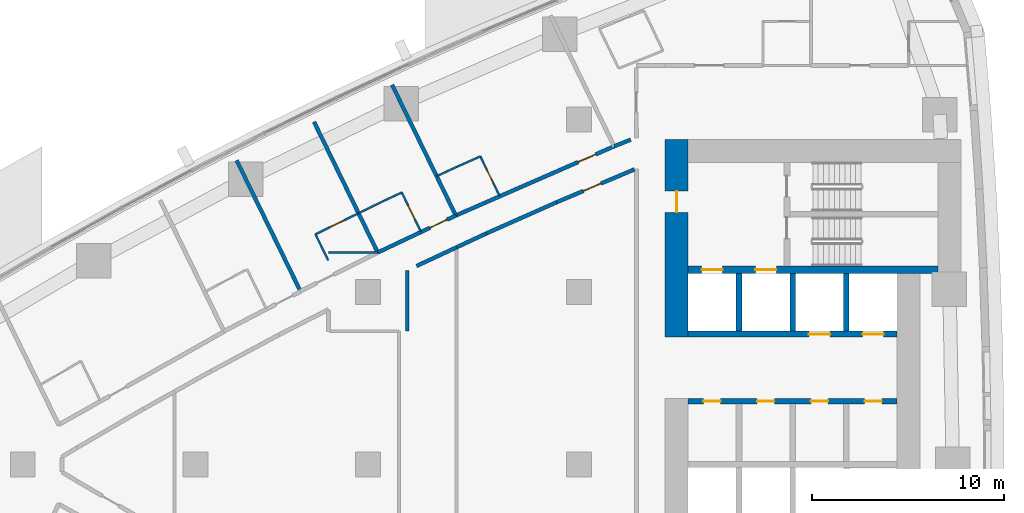
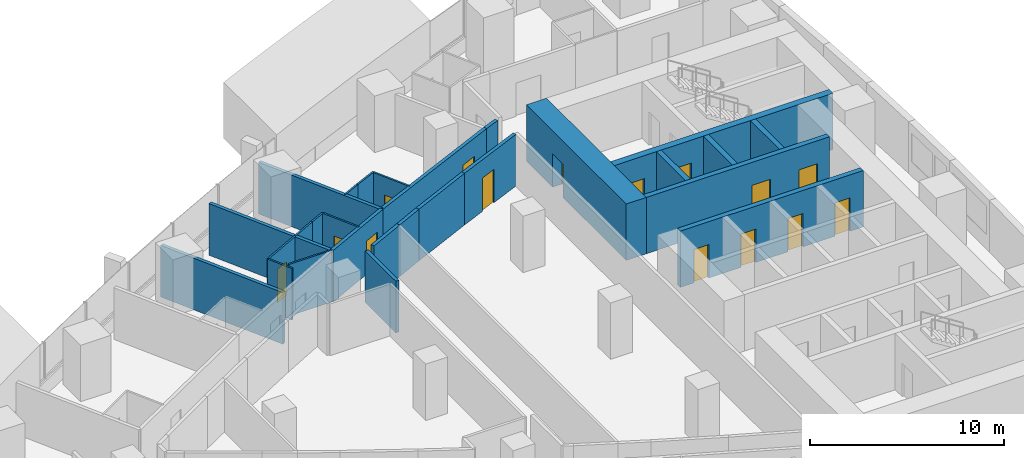
# One storey, part 12 of 19: 27 walls, 15 doors, 15 openings.
"""IFC4 building model written with IfcOpenShell, lengths in metres."""

from ifc_helpers import new_model, si_unit, direction, frame, frame_2d, origin, place, context, subcontext, project, spatial, rectangle, extrude, material, layer, layer_set, type_object, element, fill, save


model = new_model("IFC4")

# Units and contexts
model_context = context("Model", 3, precision=1e-05, world=origin(), true_north=direction((0.0, 1.0)))
body_context = subcontext(model_context, "Body", "Model", "MODEL_VIEW")
ifc_project = project(units=[si_unit("LENGTHUNIT", "METRE"), si_unit("AREAUNIT", "SQUARE_METRE"), si_unit("VOLUMEUNIT", "CUBIC_METRE"), si_unit("PLANEANGLEUNIT", "RADIAN"), si_unit("MASSUNIT", "GRAM", prefix="KILO")], contexts=[model_context])

# Site, building, storey
site_placement = place(None, origin())
site = spatial("IfcSite", under=ifc_project, at=site_placement, CompositionType="ELEMENT")
building_placement = place(site_placement, origin())
building = spatial("IfcBuilding", under=site, at=building_placement, Name="Ostrand Prow Hotel Tower", CompositionType="ELEMENT")
storey_placement = place(building_placement, frame((0.0, 0.0, 43.14990234375)))
storey = spatial("IfcBuildingStorey", under=building, at=storey_placement, Name="L08", CompositionType="ELEMENT", Elevation=43.14990234375)

# Wall, opening, door
ifc_material_1 = material(Name="Concrete C80/95", Category="concrete")
ifc_layer_1 = layer(ifc_material_1, 1.199951171875)
ifc_layer_set_1 = layer_set([ifc_layer_1], Name="Concrete C80/95")
wall_type_1 = type_object("IfcWallType", Name="Core wall 1200 C80/95", PredefinedType="SHEAR", material=ifc_layer_set_1)
wall_1_placement = place(storey_placement, frame((50.10009765625, 6.64990234375, 0.0), z_axis=(0.0, 0.0, 1.0), x_axis=(0.0, 1.0, 0.0)))
wall_1 = element("IfcWall", 1, at=wall_1_placement, inside=storey, type_object=wall_type_1, Name="Core wall CW-W-N", PredefinedType="SHEAR", context=body_context, shape_type="SweptSolid", body=[
    extrude(rectangle(XDim=10.300048828125, YDim=1.199951171875, at=frame_2d((5.14990234375, 0.0))), origin(), (0.0, 0.0, 1.0), 3.550048828125),
])
opening_1_placement = place(wall_1_placement, frame((6.5, 0.0, 0.0)))
opening_1 = element("IfcOpeningElement", 2, at=opening_1_placement, cuts=wall_1, Name="Opening FD1", PredefinedType="OPENING", context=body_context, shape_type="SweptSolid", body=[
    extrude(rectangle(XDim=1.10009765625, YDim=2.10009765625, at=frame_2d((0.550048828125, 1.050048828125))), frame((0.0, 0.60986328125, 0.0), z_axis=(0.0, -1.0, 0.0), x_axis=(1.0, 0.0, 0.0)), (0.0, 0.0, 1.0), 1.219970703125),
])
ifc_material_2 = material(Name="Steel fire door", Category="steel")
door_type_1 = type_object("IfcDoorType", Name="Fire door 1100 EI120", OperationType="SINGLE_SWING_RIGHT", PredefinedType="DOOR", material=ifc_material_2)
door_1_placement = place(opening_1_placement, origin())
door_1 = element("IfcDoor", 3, at=door_1_placement, inside=storey, type_object=door_type_1, Name="FIRE DOOR", OperationType="SINGLE_SWING_RIGHT", OverallHeight=2.10009765625, OverallWidth=1.10009765625, PredefinedType="DOOR", context=body_context, shape_type="SweptSolid", body=[
    extrude(rectangle(XDim=1.10009765625, YDim=2.10009765625, at=frame_2d((0.550048828125, 1.050048828125))), frame((0.0, 0.02490234375, 0.0), z_axis=(0.0, -1.0, 0.0), x_axis=(1.0, 0.0, 0.0)), (0.0, 0.0, 1.0), 0.050048828125),
])
fill(opening_1, door_1)

# Wall, openings, doors
ifc_material_3 = material(Name="Concrete C80/95", Category="concrete")
ifc_layer_2 = layer(ifc_material_3, 0.300048828125)
ifc_layer_set_2 = layer_set([ifc_layer_2], Name="Concrete C80/95")
wall_type_2 = type_object("IfcWallType", Name="Core wall 300 C80/95", PredefinedType="SHEAR", material=ifc_layer_set_2)
wall_2_placement = place(storey_placement, frame((50.699951171875, 3.300048828125, 0.0), z_axis=(0.0, 0.0, 1.0), x_axis=(1.0, 0.0, 0.0)))
wall_2 = element("IfcWall", 4, at=wall_2_placement, inside=storey, type_object=wall_type_2, Name="Core wall PW-L1-N", PredefinedType="SHEAR", context=body_context, shape_type="SweptSolid", body=[
    extrude(rectangle(XDim=10.900146484375, YDim=0.300048828125, at=frame_2d((5.4501953125, 0.0))), origin(), (0.0, 0.0, 1.0), 3.550048828125),
])
opening_2_placement = place(wall_2_placement, frame((0.800048828125, 0.0, 0.0)))
opening_2 = element("IfcOpeningElement", 5, at=opening_2_placement, cuts=wall_2, Name="Opening FD2", PredefinedType="OPENING", context=body_context, shape_type="SweptSolid", body=[
    extrude(rectangle(XDim=0.89990234375, YDim=2.10009765625, at=frame_2d((0.449951171875, 1.050048828125))), frame((0.0, 0.159912109375, 0.0), z_axis=(0.0, -1.0, 0.0), x_axis=(1.0, 0.0, 0.0)), (0.0, 0.0, 1.0), 0.320068359375),
])
opening_3_placement = place(wall_2_placement, frame((3.60009765625, 0.0, 0.0)))
opening_3 = element("IfcOpeningElement", 6, at=opening_3_placement, cuts=wall_2, Name="Opening FD2", PredefinedType="OPENING", context=body_context, shape_type="SweptSolid", body=[
    extrude(rectangle(XDim=0.89990234375, YDim=2.10009765625, at=frame_2d((0.449951171875, 1.050048828125))), frame((0.0, 0.159912109375, 0.0), z_axis=(0.0, -1.0, 0.0), x_axis=(1.0, 0.0, 0.0)), (0.0, 0.0, 1.0), 0.320068359375),
])
opening_4_placement = place(wall_2_placement, frame((6.39990234375, 0.0, 0.0)))
opening_4 = element("IfcOpeningElement", 7, at=opening_4_placement, cuts=wall_2, Name="Opening FD2", PredefinedType="OPENING", context=body_context, shape_type="SweptSolid", body=[
    extrude(rectangle(XDim=0.89990234375, YDim=2.10009765625, at=frame_2d((0.449951171875, 1.050048828125))), frame((0.0, 0.159912109375, 0.0), z_axis=(0.0, -1.0, 0.0), x_axis=(1.0, 0.0, 0.0)), (0.0, 0.0, 1.0), 0.320068359375),
])
opening_5_placement = place(wall_2_placement, frame((9.199951171875, 0.0, 0.0)))
opening_5 = element("IfcOpeningElement", 8, at=opening_5_placement, cuts=wall_2, Name="Opening FD2", PredefinedType="OPENING", context=body_context, shape_type="SweptSolid", body=[
    extrude(rectangle(XDim=0.89990234375, YDim=2.10009765625, at=frame_2d((0.449951171875, 1.050048828125))), frame((0.0, 0.159912109375, 0.0), z_axis=(0.0, -1.0, 0.0), x_axis=(1.0, 0.0, 0.0)), (0.0, 0.0, 1.0), 0.320068359375),
])
ifc_material_4 = material(Name="Steel fire door", Category="steel")
door_type_2 = type_object("IfcDoorType", Name="Fire door 900 EI120", OperationType="SINGLE_SWING_LEFT", PredefinedType="DOOR", material=ifc_material_4)
door_2_placement = place(opening_2_placement, origin())
door_2 = element("IfcDoor", 9, at=door_2_placement, inside=storey, type_object=door_type_2, Name="DOOR", OperationType="SINGLE_SWING_LEFT", OverallHeight=2.10009765625, OverallWidth=0.89990234375, PredefinedType="DOOR", context=body_context, shape_type="SweptSolid", body=[
    extrude(rectangle(XDim=0.89990234375, YDim=2.10009765625, at=frame_2d((0.449951171875, 1.050048828125))), frame((0.0, 0.02490234375, 0.0), z_axis=(0.0, -1.0, 0.0), x_axis=(1.0, 0.0, 0.0)), (0.0, 0.0, 1.0), 0.050048828125),
])
fill(opening_2, door_2)
door_3_placement = place(opening_3_placement, origin())
door_3 = element("IfcDoor", 10, at=door_3_placement, inside=storey, type_object=door_type_2, Name="DOOR", OperationType="SINGLE_SWING_LEFT", OverallHeight=2.10009765625, OverallWidth=0.89990234375, PredefinedType="DOOR", context=body_context, shape_type="SweptSolid", body=[
    extrude(rectangle(XDim=0.89990234375, YDim=2.10009765625, at=frame_2d((0.449951171875, 1.050048828125))), frame((0.0, 0.02490234375, 0.0), z_axis=(0.0, -1.0, 0.0), x_axis=(1.0, 0.0, 0.0)), (0.0, 0.0, 1.0), 0.050048828125),
])
fill(opening_3, door_3)
door_4_placement = place(opening_4_placement, origin())
door_4 = element("IfcDoor", 11, at=door_4_placement, inside=storey, type_object=door_type_2, Name="DOOR", OperationType="SINGLE_SWING_LEFT", OverallHeight=2.10009765625, OverallWidth=0.89990234375, PredefinedType="DOOR", context=body_context, shape_type="SweptSolid", body=[
    extrude(rectangle(XDim=0.89990234375, YDim=2.10009765625, at=frame_2d((0.449951171875, 1.050048828125))), frame((0.0, 0.02490234375, 0.0), z_axis=(0.0, -1.0, 0.0), x_axis=(1.0, 0.0, 0.0)), (0.0, 0.0, 1.0), 0.050048828125),
])
fill(opening_4, door_4)
door_5_placement = place(opening_5_placement, origin())
door_5 = element("IfcDoor", 12, at=door_5_placement, inside=storey, type_object=door_type_2, Name="DOOR", OperationType="SINGLE_SWING_LEFT", OverallHeight=2.10009765625, OverallWidth=0.89990234375, PredefinedType="DOOR", context=body_context, shape_type="SweptSolid", body=[
    extrude(rectangle(XDim=0.89990234375, YDim=2.10009765625, at=frame_2d((0.449951171875, 1.050048828125))), frame((0.0, 0.02490234375, 0.0), z_axis=(0.0, -1.0, 0.0), x_axis=(1.0, 0.0, 0.0)), (0.0, 0.0, 1.0), 0.050048828125),
])
fill(opening_5, door_5)

wall_3_placement = place(storey_placement, frame((50.699951171875, 6.800048828125, 0.0), z_axis=(0.0, 0.0, 1.0), x_axis=(1.0, 0.0, 0.0)))
wall_3 = element("IfcWall", 13, at=wall_3_placement, inside=storey, type_object=wall_type_2, Name="Core wall PW-L2-N", PredefinedType="SHEAR", context=body_context, shape_type="SweptSolid", body=[
    extrude(rectangle(XDim=10.900146484375, YDim=0.300048828125, at=frame_2d((5.4501953125, 0.0))), origin(), (0.0, 0.0, 1.0), 3.550048828125),
])
opening_6_placement = place(wall_3_placement, frame((6.300048828125, 0.0, 0.0)))
opening_6 = element("IfcOpeningElement", 14, at=opening_6_placement, cuts=wall_3, Name="Opening LD", PredefinedType="OPENING", context=body_context, shape_type="SweptSolid", body=[
    extrude(rectangle(XDim=1.10009765625, YDim=2.10009765625, at=frame_2d((0.550048828125, 1.050048828125))), frame((0.0, 0.159912109375, 0.0), z_axis=(0.0, -1.0, 0.0), x_axis=(1.0, 0.0, 0.0)), (0.0, 0.0, 1.0), 0.320068359375),
])
opening_7_placement = place(wall_3_placement, frame((9.10009765625, 0.0, 0.0)))
opening_7 = element("IfcOpeningElement", 15, at=opening_7_placement, cuts=wall_3, Name="Opening LD", PredefinedType="OPENING", context=body_context, shape_type="SweptSolid", body=[
    extrude(rectangle(XDim=1.10009765625, YDim=2.10009765625, at=frame_2d((0.550048828125, 1.050048828125))), frame((0.0, 0.159912109375, 0.0), z_axis=(0.0, -1.0, 0.0), x_axis=(1.0, 0.0, 0.0)), (0.0, 0.0, 1.0), 0.320068359375),
])
ifc_material_5 = material(Name="Stainless steel door", Category="steel")
door_type_3 = type_object("IfcDoorType", Name="Lift landing door 1100", OperationType="DOUBLE_DOOR_SLIDING", PredefinedType="DOOR", material=ifc_material_5)
door_6_placement = place(opening_6_placement, origin())
door_6 = element("IfcDoor", 16, at=door_6_placement, inside=storey, type_object=door_type_3, Name="LIFT LANDING DOOR", OperationType="DOUBLE_DOOR_SLIDING", OverallHeight=2.10009765625, OverallWidth=1.10009765625, PredefinedType="DOOR", context=body_context, shape_type="SweptSolid", body=[
    extrude(rectangle(XDim=1.10009765625, YDim=2.10009765625, at=frame_2d((0.550048828125, 1.050048828125))), frame((0.0, 0.02490234375, 0.0), z_axis=(0.0, -1.0, 0.0), x_axis=(1.0, 0.0, 0.0)), (0.0, 0.0, 1.0), 0.050048828125),
])
fill(opening_6, door_6)
door_7_placement = place(opening_7_placement, origin())
door_7 = element("IfcDoor", 17, at=door_7_placement, inside=storey, type_object=door_type_3, Name="LIFT LANDING DOOR", OperationType="DOUBLE_DOOR_SLIDING", OverallHeight=2.10009765625, OverallWidth=1.10009765625, PredefinedType="DOOR", context=body_context, shape_type="SweptSolid", body=[
    extrude(rectangle(XDim=1.10009765625, YDim=2.10009765625, at=frame_2d((0.550048828125, 1.050048828125))), frame((0.0, 0.02490234375, 0.0), z_axis=(0.0, -1.0, 0.0), x_axis=(1.0, 0.0, 0.0)), (0.0, 0.0, 1.0), 0.050048828125),
])
fill(opening_7, door_7)

# Walls
for number, where, z_axis, x_axis, name in (
    (18, (53.35009765625, 6.949951171875, 0.0), (0.0, 0.0, 1.0), (0.0, 1.0, 0.0), "Core wall PW-R1-NA"),
    (19, (56.14990234375, 6.949951171875, 0.0), (0.0, 0.0, 1.0), (0.0, 1.0, 0.0), "Core wall PW-R2-NA"),
    (20, (58.949951171875, 6.949951171875, 0.0), (0.0, 0.0, 1.0), (0.0, 1.0, 0.0), "Core wall PW-R3-NA"),
):
    element("IfcWall", number, at=place(storey_placement, frame(where, z_axis=z_axis, x_axis=x_axis)), inside=storey, type_object=wall_type_2, Name=name, PredefinedType="SHEAR", context=body_context, shape_type="SweptSolid", body=[
        extrude(rectangle(XDim=3.0, YDim=0.300048828125, at=frame_2d((1.5, 0.0))), origin(), (0.0, 0.0, 1.0), 3.550048828125),
    ])

# Wall, openings, doors
ifc_material_6 = material(Name="Concrete C80/95", Category="concrete")
ifc_layer_3 = layer(ifc_material_6, 0.39990234375)
ifc_layer_set_3 = layer_set([ifc_layer_3], Name="Concrete C80/95")
wall_type_3 = type_object("IfcWallType", Name="Core wall 400 C80/95", PredefinedType="SHEAR", material=ifc_layer_set_3)
wall_4_placement = place(storey_placement, frame((50.699951171875, 10.14990234375, 0.0), z_axis=(0.0, 0.0, 1.0), x_axis=(1.0, 0.0, 0.0)))
wall_4 = element("IfcWall", 21, at=wall_4_placement, inside=storey, type_object=wall_type_3, Name="Core wall PW-BN", PredefinedType="SHEAR", context=body_context, shape_type="SweptSolid", body=[
    extrude(rectangle(XDim=13.02001953125, YDim=0.39990234375, at=frame_2d((6.510009765625, 0.0))), origin(), (0.0, 0.0, 1.0), 3.550048828125),
])
opening_8_placement = place(wall_4_placement, frame((0.699951171875, 0.0, 0.0)))
opening_8 = element("IfcOpeningElement", 22, at=opening_8_placement, cuts=wall_4, Name="Opening LD", PredefinedType="OPENING", context=body_context, shape_type="SweptSolid", body=[
    extrude(rectangle(XDim=1.10009765625, YDim=2.10009765625, at=frame_2d((0.550048828125, 1.050048828125))), frame((0.0, 0.2099609375, 0.0), z_axis=(0.0, -1.0, 0.0), x_axis=(1.0, 0.0, 0.0)), (0.0, 0.0, 1.0), 0.419921875),
])
opening_9_placement = place(wall_4_placement, frame((3.5, 0.0, 0.0)))
opening_9 = element("IfcOpeningElement", 23, at=opening_9_placement, cuts=wall_4, Name="Opening LD", PredefinedType="OPENING", context=body_context, shape_type="SweptSolid", body=[
    extrude(rectangle(XDim=1.10009765625, YDim=2.10009765625, at=frame_2d((0.550048828125, 1.050048828125))), frame((0.0, 0.2099609375, 0.0), z_axis=(0.0, -1.0, 0.0), x_axis=(1.0, 0.0, 0.0)), (0.0, 0.0, 1.0), 0.419921875),
])
door_8_placement = place(opening_8_placement, origin())
door_8 = element("IfcDoor", 24, at=door_8_placement, inside=storey, type_object=door_type_3, Name="LIFT LANDING DOOR", OperationType="DOUBLE_DOOR_SLIDING", OverallHeight=2.10009765625, OverallWidth=1.10009765625, PredefinedType="DOOR", context=body_context, shape_type="SweptSolid", body=[
    extrude(rectangle(XDim=1.10009765625, YDim=2.10009765625, at=frame_2d((0.550048828125, 1.050048828125))), frame((0.0, 0.02490234375, 0.0), z_axis=(0.0, -1.0, 0.0), x_axis=(1.0, 0.0, 0.0)), (0.0, 0.0, 1.0), 0.050048828125),
])
fill(opening_8, door_8)
door_9_placement = place(opening_9_placement, origin())
door_9 = element("IfcDoor", 25, at=door_9_placement, inside=storey, type_object=door_type_3, Name="LIFT LANDING DOOR", OperationType="DOUBLE_DOOR_SLIDING", OverallHeight=2.10009765625, OverallWidth=1.10009765625, PredefinedType="DOOR", context=body_context, shape_type="SweptSolid", body=[
    extrude(rectangle(XDim=1.10009765625, YDim=2.10009765625, at=frame_2d((0.550048828125, 1.050048828125))), frame((0.0, 0.02490234375, 0.0), z_axis=(0.0, -1.0, 0.0), x_axis=(1.0, 0.0, 0.0)), (0.0, 0.0, 1.0), 0.050048828125),
])
fill(opening_9, door_9)

# Wall, opening, door
ifc_material_7 = material(Name="Plasterboard partition")
ifc_layer_4 = layer(ifc_material_7, 0.10009765625)
ifc_layer_set_4 = layer_set([ifc_layer_4], Name="Plasterboard partition")
wall_type_4 = type_object("IfcWallType", Name="Partition 100 bathroom wall", PredefinedType="PARTITIONING", material=ifc_layer_set_4)
wall_5_placement = place(storey_placement, frame((31.26708984375, 12.00341796875, 0.0), z_axis=(0.0, 0.0, 1.0), x_axis=(0.89845285455, 0.439070003702, 0.0)))
wall_5 = element("IfcWall", 26, at=wall_5_placement, inside=storey, type_object=wall_type_4, Name="BATHROOM WALL", PredefinedType="PARTITIONING", context=body_context, shape_type="SweptSolid", body=[
    extrude(rectangle(XDim=2.5, YDim=0.10009765625, at=frame_2d((1.25, 0.0))), origin(), (0.0, 0.0, 1.0), 3.25),
])
opening_10_placement = place(wall_5_placement, frame((0.85009765625, 0.0, 0.0)))
opening_10 = element("IfcOpeningElement", 27, at=opening_10_placement, cuts=wall_5, Name="Opening D2", PredefinedType="OPENING", context=body_context, shape_type="SweptSolid", body=[
    extrude(rectangle(XDim=0.800048828125, YDim=2.10009765625, at=frame_2d((0.39990234375, 1.050048828125))), frame((0.0, 0.06005859375, 0.0), z_axis=(0.0, -1.0, 0.0), x_axis=(1.0, 0.0, 0.0)), (0.0, 0.0, 1.0), 0.1201171875),
])
ifc_material_8 = material(Name="Timber door leaf", Category="wood")
door_type_4 = type_object("IfcDoorType", Name="Bathroom door 800", OperationType="SINGLE_SWING_LEFT", PredefinedType="DOOR", material=ifc_material_8)
door_10_placement = place(opening_10_placement, origin())
door_10 = element("IfcDoor", 28, at=door_10_placement, inside=storey, type_object=door_type_4, Name="DOOR", OperationType="SINGLE_SWING_LEFT", OverallHeight=2.10009765625, OverallWidth=0.800048828125, PredefinedType="DOOR", context=body_context, shape_type="SweptSolid", body=[
    extrude(rectangle(XDim=0.800048828125, YDim=2.10009765625, at=frame_2d((0.39990234375, 1.050048828125))), frame((0.0, 0.02490234375, 0.0), z_axis=(0.0, -1.0, 0.0), x_axis=(1.0, 0.0, 0.0)), (0.0, 0.0, 1.0), 0.050048828125),
])
fill(opening_10, door_10)

# Walls
wall_6_placement = place(storey_placement, frame((31.9287109375, 10.645751953125, 0.0), z_axis=(0.0, 0.0, 1.0), x_axis=(-0.438136931394, 0.898908243008, 0.0)))
element("IfcWall", 29, at=wall_6_placement, inside=storey, type_object=wall_type_4, Name="BATHROOM WALL", PredefinedType="PARTITIONING", context=body_context, shape_type="SweptSolid", body=[
    extrude(rectangle(XDim=1.510009765625, YDim=0.10009765625, at=frame_2d((0.7548828125, 0.0))), origin(), (0.0, 0.0, 1.0), 3.25),
])
wall_7_placement = place(storey_placement, frame((33.51318359375, 13.10107421875, 0.0), z_axis=(0.0, 0.0, 1.0), x_axis=(0.898338680123, 0.439303557685, 0.0)))
element("IfcWall", 30, at=wall_7_placement, inside=storey, type_object=wall_type_4, Name="BATHROOM WALL", PredefinedType="PARTITIONING", context=body_context, shape_type="SweptSolid", body=[
    extrude(rectangle(XDim=1.546630859375, YDim=0.10009765625, at=frame_2d((0.7734375, 0.0))), origin(), (0.0, 0.0, 1.0), 3.25),
])
wall_8_placement = place(storey_placement, frame((34.902587890625, 13.780517578125, 0.0), z_axis=(0.0, 0.0, 1.0), x_axis=(0.906477304063, 0.422254540791, 0.0)))
element("IfcWall", 31, at=wall_8_placement, inside=storey, type_object=wall_type_4, Name="BATHROOM WALL", PredefinedType="PARTITIONING", context=body_context, shape_type="SweptSolid", body=[
    extrude(rectangle(XDim=0.953369140625, YDim=0.10009765625, at=frame_2d((0.4765625, 0.0))), origin(), (0.0, 0.0, 1.0), 3.25),
])

# Wall, opening, door
wall_9_placement = place(storey_placement, frame((35.766845703125, 14.18310546875, 0.0), z_axis=(0.0, 0.0, 1.0), x_axis=(0.438229314017, -0.898863208912, 0.0)))
wall_9 = element("IfcWall", 32, at=wall_9_placement, inside=storey, type_object=wall_type_4, Name="BATHROOM WALL", PredefinedType="PARTITIONING", context=body_context, shape_type="SweptSolid", body=[
    extrude(rectangle(XDim=2.27734375, YDim=0.10009765625, at=frame_2d((1.138671875, 0.0))), origin(), (0.0, 0.0, 1.0), 3.25),
])
opening_11_placement = place(wall_9_placement, frame((0.75, 0.0, 0.0)))
opening_11 = element("IfcOpeningElement", 33, at=opening_11_placement, cuts=wall_9, Name="Opening D2", PredefinedType="OPENING", context=body_context, shape_type="SweptSolid", body=[
    extrude(rectangle(XDim=0.800048828125, YDim=2.10009765625, at=frame_2d((0.39990234375, 1.050048828125))), frame((0.0, 0.06005859375, 0.0), z_axis=(0.0, -1.0, 0.0), x_axis=(1.0, 0.0, 0.0)), (0.0, 0.0, 1.0), 0.1201171875),
])
door_11_placement = place(opening_11_placement, origin())
door_11 = element("IfcDoor", 34, at=door_11_placement, inside=storey, type_object=door_type_4, Name="DOOR", OperationType="SINGLE_SWING_LEFT", OverallHeight=2.10009765625, OverallWidth=0.800048828125, PredefinedType="DOOR", context=body_context, shape_type="SweptSolid", body=[
    extrude(rectangle(XDim=0.800048828125, YDim=2.10009765625, at=frame_2d((0.39990234375, 1.050048828125))), frame((0.0, 0.02490234375, 0.0), z_axis=(0.0, -1.0, 0.0), x_axis=(1.0, 0.0, 0.0)), (0.0, 0.0, 1.0), 0.050048828125),
])
fill(opening_11, door_11)

# Walls
wall_10_placement = place(storey_placement, frame((37.585693359375, 15.031005859375, 0.0), z_axis=(0.0, 0.0, 1.0), x_axis=(0.90632717857, 0.422576673972, 0.0)))
element("IfcWall", 35, at=wall_10_placement, inside=storey, type_object=wall_type_4, Name="BATHROOM WALL", PredefinedType="PARTITIONING", context=body_context, shape_type="SweptSolid", body=[
    extrude(rectangle(XDim=1.12548828125, YDim=0.10009765625, at=frame_2d((0.562744140625, 0.0))), origin(), (0.0, 0.0, 1.0), 3.25),
])
wall_11_placement = place(storey_placement, frame((38.605712890625, 15.506591796875, 0.0), z_axis=(0.0, 0.0, 1.0), x_axis=(0.913972512123, 0.405776104625, 0.0)))
element("IfcWall", 36, at=wall_11_placement, inside=storey, type_object=wall_type_4, Name="BATHROOM WALL", PredefinedType="PARTITIONING", context=body_context, shape_type="SweptSolid", body=[
    extrude(rectangle(XDim=1.37548828125, YDim=0.10009765625, at=frame_2d((0.687744140625, 0.0))), origin(), (0.0, 0.0, 1.0), 3.25),
])

# Wall, opening, door
wall_12_placement = place(storey_placement, frame((39.86279296875, 16.064697265625, 0.0), z_axis=(0.0, 0.0, 1.0), x_axis=(0.438233629628, -0.898861104878, 0.0)))
wall_12 = element("IfcWall", 37, at=wall_12_placement, inside=storey, type_object=wall_type_4, Name="BATHROOM WALL", PredefinedType="PARTITIONING", context=body_context, shape_type="SweptSolid", body=[
    extrude(rectangle(XDim=2.278564453125, YDim=0.10009765625, at=frame_2d((1.13916015625, 0.0))), origin(), (0.0, 0.0, 1.0), 3.25),
])
opening_12_placement = place(wall_12_placement, frame((0.75, 0.0, 0.0)))
opening_12 = element("IfcOpeningElement", 38, at=opening_12_placement, cuts=wall_12, Name="Opening D2", PredefinedType="OPENING", context=body_context, shape_type="SweptSolid", body=[
    extrude(rectangle(XDim=0.800048828125, YDim=2.10009765625, at=frame_2d((0.39990234375, 1.050048828125))), frame((0.0, 0.06005859375, 0.0), z_axis=(0.0, -1.0, 0.0), x_axis=(1.0, 0.0, 0.0)), (0.0, 0.0, 1.0), 0.1201171875),
])
door_12_placement = place(opening_12_placement, origin())
door_12 = element("IfcDoor", 39, at=door_12_placement, inside=storey, type_object=door_type_4, Name="DOOR", OperationType="SINGLE_SWING_LEFT", OverallHeight=2.10009765625, OverallWidth=0.800048828125, PredefinedType="DOOR", context=body_context, shape_type="SweptSolid", body=[
    extrude(rectangle(XDim=0.800048828125, YDim=2.10009765625, at=frame_2d((0.39990234375, 1.050048828125))), frame((0.0, 0.02490234375, 0.0), z_axis=(0.0, -1.0, 0.0), x_axis=(1.0, 0.0, 0.0)), (0.0, 0.0, 1.0), 0.050048828125),
])
fill(opening_12, door_12)

# Wall
wall_13_placement = place(storey_placement, frame((34.510498046875, 11.054931640625, 0.0), z_axis=(0.0, 0.0, 1.0), x_axis=(-1.0, 0.0, 0.0)))
element("IfcWall", 40, at=wall_13_placement, inside=storey, type_object=wall_type_4, Name="BATHROOM WALL", PredefinedType="PARTITIONING", context=body_context, shape_type="SweptSolid", body=[
    extrude(rectangle(XDim=2.5615234375, YDim=0.10009765625, at=frame_2d((1.28076171875, 0.0))), origin(), (0.0, 0.0, 1.0), 3.25),
])

# Wall, opening, door
ifc_material_9 = material(Name="Plasterboard partition")
ifc_layer_5 = layer(ifc_material_9, 0.199951171875)
ifc_layer_set_5 = layer_set([ifc_layer_5], Name="Plasterboard partition")
wall_type_5 = type_object("IfcWallType", Name="Partition 200 corridor wall", PredefinedType="PARTITIONING", material=ifc_layer_set_5)
wall_14_placement = place(storey_placement, frame((38.584716796875, 12.981201171875, 0.0), z_axis=(0.0, 0.0, 1.0), x_axis=(-0.903706948966, -0.428151550727, 0.0)))
wall_14 = element("IfcWall", 41, at=wall_14_placement, inside=storey, type_object=wall_type_5, Name="CORRIDOR WALL", PredefinedType="PARTITIONING", context=body_context, shape_type="SweptSolid", body=[
    extrude(rectangle(XDim=4.50634765625, YDim=0.199951171875, at=frame_2d((2.253173828125, 0.0))), origin(), (0.0, 0.0, 1.0), 3.25),
])
opening_13_placement = place(wall_14_placement, frame((0.5, 0.0, 0.0)))
opening_13 = element("IfcOpeningElement", 42, at=opening_13_placement, cuts=wall_14, Name="Opening D1R", PredefinedType="OPENING", context=body_context, shape_type="SweptSolid", body=[
    extrude(rectangle(XDim=1.0, YDim=2.10009765625, at=frame_2d((0.5, 1.050048828125))), frame((0.0, 0.10986328125, 0.0), z_axis=(0.0, -1.0, 0.0), x_axis=(1.0, 0.0, 0.0)), (0.0, 0.0, 1.0), 0.219970703125),
])
ifc_material_10 = material(Name="Timber door leaf", Category="wood")
door_type_5 = type_object("IfcDoorType", Name="Guest room door 1000 right", OperationType="SINGLE_SWING_RIGHT", PredefinedType="DOOR", material=ifc_material_10)
door_13_placement = place(opening_13_placement, origin())
door_13 = element("IfcDoor", 43, at=door_13_placement, inside=storey, type_object=door_type_5, Name="DOOR", OperationType="SINGLE_SWING_RIGHT", OverallHeight=2.10009765625, OverallWidth=1.0, PredefinedType="DOOR", context=body_context, shape_type="SweptSolid", body=[
    extrude(rectangle(XDim=1.0, YDim=2.10009765625, at=frame_2d((0.5, 1.050048828125))), frame((0.0, 0.02490234375, 0.0), z_axis=(0.0, -1.0, 0.0), x_axis=(1.0, 0.0, 0.0)), (0.0, 0.0, 1.0), 0.050048828125),
])
fill(opening_13, door_13)

wall_15_placement = place(storey_placement, frame((46.843505859375, 16.5908203125, 0.0), z_axis=(0.0, 0.0, 1.0), x_axis=(-0.916303988169, -0.400483459415, 0.0)))
wall_15 = element("IfcWall", 44, at=wall_15_placement, inside=storey, type_object=wall_type_5, Name="CORRIDOR WALL", PredefinedType="PARTITIONING", context=body_context, shape_type="SweptSolid", body=[
    extrude(rectangle(XDim=9.01318359375, YDim=0.199951171875, at=frame_2d((4.506591796875, 0.0))), origin(), (0.0, 0.0, 1.0), 3.25),
])
opening_14_placement = place(wall_15_placement, frame((1.050048828125, 0.0, 0.0)))
opening_14 = element("IfcOpeningElement", 45, at=opening_14_placement, cuts=wall_15, Name="Opening D1R", PredefinedType="OPENING", context=body_context, shape_type="SweptSolid", body=[
    extrude(rectangle(XDim=1.0, YDim=2.10009765625, at=frame_2d((0.5, 1.050048828125))), frame((0.0, 0.10986328125, 0.0), z_axis=(0.0, -1.0, 0.0), x_axis=(1.0, 0.0, 0.0)), (0.0, 0.0, 1.0), 0.219970703125),
])
door_14_placement = place(opening_14_placement, origin())
door_14 = element("IfcDoor", 46, at=door_14_placement, inside=storey, type_object=door_type_5, Name="DOOR", OperationType="SINGLE_SWING_RIGHT", OverallHeight=2.10009765625, OverallWidth=1.0, PredefinedType="DOOR", context=body_context, shape_type="SweptSolid", body=[
    extrude(rectangle(XDim=1.0, YDim=2.10009765625, at=frame_2d((0.5, 1.050048828125))), frame((0.0, 0.02490234375, 0.0), z_axis=(0.0, -1.0, 0.0), x_axis=(1.0, 0.0, 0.0)), (0.0, 0.0, 1.0), 0.050048828125),
])
fill(opening_14, door_14)

# Wall
wall_16_placement = place(storey_placement, frame((36.5400390625, 10.35107421875, 0.0), z_axis=(0.0, 0.0, 1.0), x_axis=(0.906372737018, 0.422478948103, 0.0)))
element("IfcWall", 47, at=wall_16_placement, inside=storey, type_object=wall_type_5, Name="CORRIDOR WALL", PredefinedType="PARTITIONING", context=body_context, shape_type="SweptSolid", body=[
    extrude(rectangle(XDim=2.3017578125, YDim=0.199951171875, at=frame_2d((1.15087890625, 0.0))), origin(), (0.0, 0.0, 1.0), 3.25),
])

# Wall, opening, door
wall_17_placement = place(storey_placement, frame((43.85009765625, 13.67724609375, 0.0), z_axis=(0.0, 0.0, 1.0), x_axis=(0.921265924084, 0.388933281068, 0.0)))
wall_17 = element("IfcWall", 48, at=wall_17_placement, inside=storey, type_object=wall_type_5, Name="CORRIDOR WALL", PredefinedType="PARTITIONING", context=body_context, shape_type="SweptSolid", body=[
    extrude(rectangle(XDim=4.39599609375, YDim=0.199951171875, at=frame_2d((2.197998046875, 0.0))), origin(), (0.0, 0.0, 1.0), 3.25),
])
opening_15_placement = place(wall_17_placement, frame((1.5078125, 0.0, 0.0)))
opening_15 = element("IfcOpeningElement", 49, at=opening_15_placement, cuts=wall_17, Name="Opening D1", PredefinedType="OPENING", context=body_context, shape_type="SweptSolid", body=[
    extrude(rectangle(XDim=1.0, YDim=2.10009765625, at=frame_2d((0.5, 1.050048828125))), frame((0.0, 0.10986328125, 0.0), z_axis=(0.0, -1.0, 0.0), x_axis=(1.0, 0.0, 0.0)), (0.0, 0.0, 1.0), 0.219970703125),
])
ifc_material_11 = material(Name="Timber door leaf", Category="wood")
door_type_6 = type_object("IfcDoorType", Name="Guest room door 1000", OperationType="SINGLE_SWING_LEFT", PredefinedType="DOOR", material=ifc_material_11)
door_15_placement = place(opening_15_placement, origin())
door_15 = element("IfcDoor", 50, at=door_15_placement, inside=storey, type_object=door_type_6, Name="DOOR", OperationType="SINGLE_SWING_LEFT", OverallHeight=2.10009765625, OverallWidth=1.0, PredefinedType="DOOR", context=body_context, shape_type="SweptSolid", body=[
    extrude(rectangle(XDim=1.0, YDim=2.10009765625, at=frame_2d((0.5, 1.050048828125))), frame((0.0, 0.02490234375, 0.0), z_axis=(0.0, -1.0, 0.0), x_axis=(1.0, 0.0, 0.0)), (0.0, 0.0, 1.0), 0.050048828125),
])
fill(opening_15, door_15)

# Walls
wall_18_placement = place(storey_placement, frame((40.1796875, 12.0478515625, 0.0), z_axis=(0.0, 0.0, 1.0), x_axis=(0.913986953061, 0.405743576209, 0.0)))
element("IfcWall", 51, at=wall_18_placement, inside=storey, type_object=wall_type_5, Name="CORRIDOR WALL", PredefinedType="PARTITIONING", context=body_context, shape_type="SweptSolid", body=[
    extrude(rectangle(XDim=4.015869140625, YDim=0.199951171875, at=frame_2d((2.0078125, 0.0))), origin(), (0.0, 0.0, 1.0), 3.25),
])
wall_19_placement = place(storey_placement, frame((38.626220703125, 11.323486328125, 0.0), z_axis=(0.0, 0.0, 1.0), x_axis=(0.906314095157, 0.422604733668, 0.0)))
element("IfcWall", 52, at=wall_19_placement, inside=storey, type_object=wall_type_5, Name="CORRIDOR WALL", PredefinedType="PARTITIONING", context=body_context, shape_type="SweptSolid", body=[
    extrude(rectangle(XDim=1.714111328125, YDim=0.199951171875, at=frame_2d((0.85693359375, 0.0))), origin(), (0.0, 0.0, 1.0), 3.25),
])
wall_20_placement = place(storey_placement, frame((47.703857421875, 16.936279296875, 0.0), z_axis=(0.0, 0.0, 1.0), x_axis=(-0.927985537407, -0.372616213232, 0.0)))
element("IfcWall", 53, at=wall_20_placement, inside=storey, type_object=wall_type_5, Name="CORRIDOR WALL", PredefinedType="PARTITIONING", context=body_context, shape_type="SweptSolid", body=[
    extrude(rectangle(XDim=0.927001953125, YDim=0.199951171875, at=frame_2d((0.46337890625, 0.0))), origin(), (0.0, 0.0, 1.0), 3.25),
])
wall_21_placement = place(storey_placement, frame((36.054931640625, 6.949462890625, 0.0), z_axis=(0.0, 0.0, 1.0), x_axis=(0.0, 1.0, 0.0)))
element("IfcWall", 54, at=wall_21_placement, inside=storey, type_object=wall_type_5, Name="CORRIDOR WALL", PredefinedType="PARTITIONING", context=body_context, shape_type="SweptSolid", body=[
    extrude(rectangle(XDim=3.158935546875, YDim=0.199951171875, at=frame_2d((1.57958984375, 0.0))), origin(), (0.0, 0.0, 1.0), 3.25),
])
ifc_material_12 = material(Name="Plasterboard partition")
ifc_layer_6 = layer(ifc_material_12, 0.199951171875)
ifc_layer_set_6 = layer_set([ifc_layer_6], Name="Plasterboard partition")
wall_type_6 = type_object("IfcWallType", Name="Partition 200 key partition", PredefinedType="PARTITIONING", material=ifc_layer_set_6)
wall_22_placement = place(storey_placement, frame((30.488525390625, 9.02197265625, 0.0), z_axis=(0.0, 0.0, 1.0), x_axis=(-0.43822365664, 0.898865967072, 0.0)))
element("IfcWall", 55, at=wall_22_placement, inside=storey, type_object=wall_type_6, Name="KEY PARTITION", PredefinedType="PARTITIONING", context=body_context, shape_type="SweptSolid", body=[
    extrude(rectangle(XDim=7.601318359375, YDim=0.199951171875, at=frame_2d((3.80078125, 0.0))), origin(), (0.0, 0.0, 1.0), 3.25),
])
wall_23_placement = place(storey_placement, frame((34.512939453125, 11.050048828125, 0.0), z_axis=(0.0, 0.0, 1.0), x_axis=(-0.438187612283, 0.898883538865, 0.0)))
element("IfcWall", 56, at=wall_23_placement, inside=storey, type_object=wall_type_6, Name="KEY PARTITION", PredefinedType="PARTITIONING", context=body_context, shape_type="SweptSolid", body=[
    extrude(rectangle(XDim=7.581787109375, YDim=0.199951171875, at=frame_2d((3.791015625, 0.0))), origin(), (0.0, 0.0, 1.0), 3.25),
])
wall_24_placement = place(storey_placement, frame((38.593505859375, 12.96337890625, 0.0), z_axis=(0.0, 0.0, 1.0), x_axis=(-0.438197705697, 0.898878618459, 0.0)))
element("IfcWall", 57, at=wall_24_placement, inside=storey, type_object=wall_type_6, Name="KEY PARTITION", PredefinedType="PARTITIONING", context=body_context, shape_type="SweptSolid", body=[
    extrude(rectangle(XDim=7.60107421875, YDim=0.199951171875, at=frame_2d((3.800537109375, 0.0))), origin(), (0.0, 0.0, 1.0), 3.25),
])

save(model, "model.ifc")
